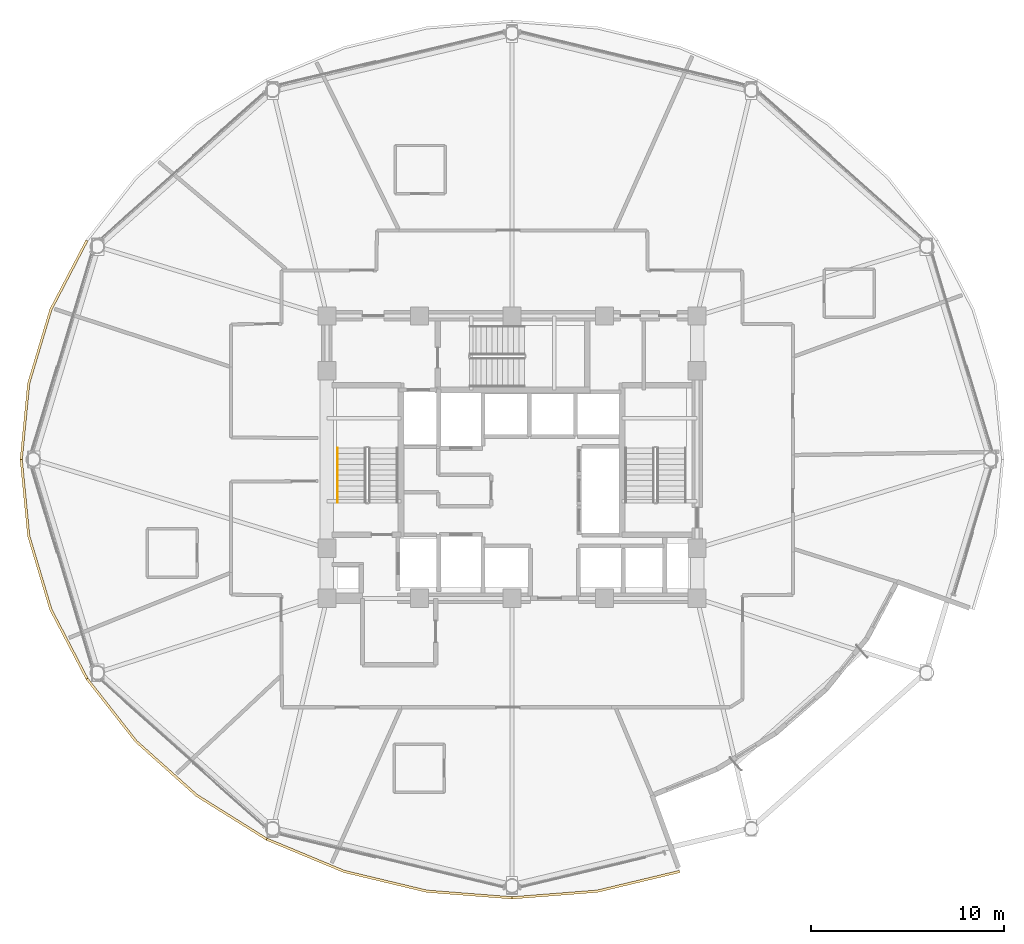
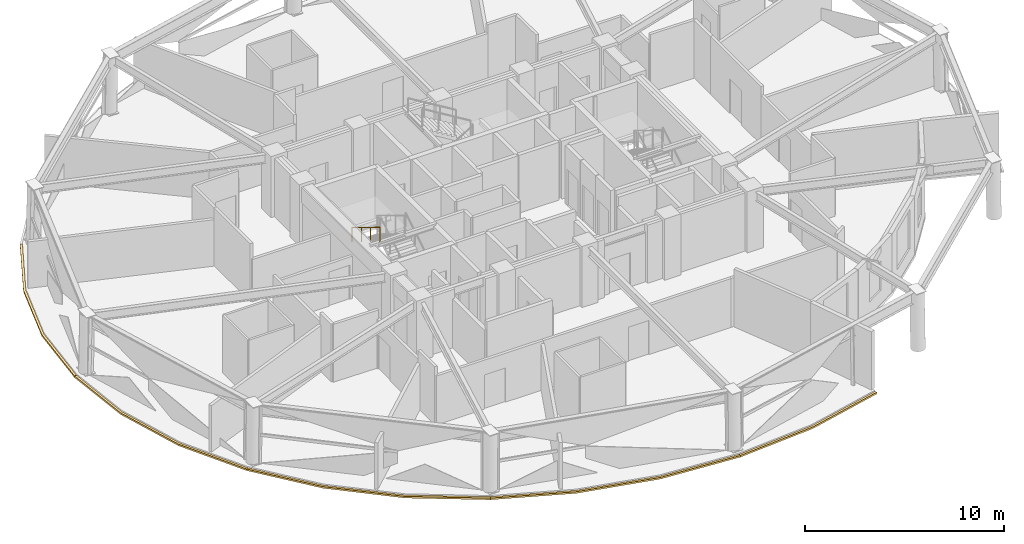
# One storey, part 14 of 16: 5 coverings, 1 railing.
"""IFC4 building model written with IfcOpenShell, lengths in metres."""

from ifc_helpers import new_model, si_unit, direction, frame, origin, origin_2d, place, context, subcontext, project, spatial, polyline, rectangle, outline, extrude, material, layer, layer_set, type_object, element, save


model = new_model("IFC4")

# Units and contexts
model_context = context("Model", 3, precision=1e-05, world=origin(), true_north=direction((0.0, 1.0)))
body_context = subcontext(model_context, "Body", "Model", "MODEL_VIEW")
ifc_project = project(units=[si_unit("LENGTHUNIT", "METRE"), si_unit("AREAUNIT", "SQUARE_METRE"), si_unit("VOLUMEUNIT", "CUBIC_METRE"), si_unit("PLANEANGLEUNIT", "RADIAN"), si_unit("MASSUNIT", "GRAM", prefix="KILO")], contexts=[model_context])

# Site, building, storey
site_placement = place(None, origin())
site = spatial("IfcSite", under=ifc_project, at=site_placement, CompositionType="ELEMENT")
building_placement = place(site_placement, origin())
building = spatial("IfcBuilding", under=site, at=building_placement, Name="Vantalir Tower", CompositionType="ELEMENT")
storey_placement = place(building_placement, frame((0.0, 0.0, 145.949951171875)))
storey = spatial("IfcBuildingStorey", under=building, at=storey_placement, Name="L36", CompositionType="ELEMENT", Elevation=145.949951171875)

# Coverings
ifc_material_1 = material(Name="Anodised champagne aluminium sill fascia", Category="aluminium")
ifc_layer = layer(ifc_material_1, 0.125)
ifc_layer_set = layer_set([ifc_layer], Name="Anodised champagne aluminium sill fascia")
covering_type = type_object("IfcCoveringType", Name="COV-SLAB-FASCIA-125", PredefinedType="CLADDING", material=ifc_layer_set)
covering_1_placement = place(storey_placement, frame((0.0, 0.0, -0.179931640625)))
element("IfcCovering", 1, at=covering_1_placement, inside=storey, type_object=covering_type, Name="L36 Perimeter Slab-Edge Sill Fascia 06", PredefinedType="CLADDING", context=body_context, shape_type="SweptSolid", body=[
    extrude(outline(polyline([(9.39892578125, 36.39892578125), (7.51904296875, 32.798095703125), (6.367919921875, 28.958984375), (5.97998046875, 25.0), (6.10498046875, 25.0), (6.490966796875, 28.93701171875), (7.636962890625, 32.7548828125), (9.507080078125, 36.3369140625), (9.39892578125, 36.39892578125)])), origin(), (0.0, 0.0, 1.0), 0.10498046875),
])
covering_2_placement = place(storey_placement, frame((0.0, 0.0, -0.179931640625)))
element("IfcCovering", 2, at=covering_2_placement, inside=storey, type_object=covering_type, Name="L36 Perimeter Slab-Edge Sill Fascia 07", PredefinedType="CLADDING", context=body_context, shape_type="SweptSolid", body=[
    extrude(outline(polyline([(5.97998046875, 25.0), (6.367919921875, 21.041015625), (7.51904296875, 17.201904296875), (9.39892578125, 13.60009765625), (9.507080078125, 13.6630859375), (7.636962890625, 17.2451171875), (6.490966796875, 21.06298828125), (6.10498046875, 25.0), (5.97998046875, 25.0)])), origin(), (0.0, 0.0, 1.0), 0.10498046875),
])
covering_3_placement = place(storey_placement, frame((0.0, 0.0, -0.179931640625)))
element("IfcCovering", 3, at=covering_3_placement, inside=storey, type_object=covering_type, Name="L36 Perimeter Slab-Edge Sill Fascia 08", PredefinedType="CLADDING", context=body_context, shape_type="SweptSolid", body=[
    extrude(outline(polyline([(9.39892578125, 13.60009765625), (11.950927734375, 10.344970703125), (15.095947265625, 7.534912109375), (18.739990234375, 5.2548828125), (18.802001953125, 5.364013671875), (15.176025390625, 7.631103515625), (12.0458984375, 10.425048828125), (9.507080078125, 13.6630859375), (9.39892578125, 13.60009765625)])), origin(), (0.0, 0.0, 1.0), 0.10498046875),
])
covering_4_placement = place(storey_placement, frame((0.0, 0.0, -0.179931640625)))
element("IfcCovering", 4, at=covering_4_placement, inside=storey, type_object=covering_type, Name="L36 Perimeter Slab-Edge Sill Fascia 09", PredefinedType="CLADDING", context=body_context, shape_type="SweptSolid", body=[
    extrude(outline(polyline([(18.739990234375, 5.2548828125), (22.77197265625, 3.575927734375), (27.068115234375, 2.547119140625), (31.5, 2.200927734375), (31.5, 2.325927734375), (27.090087890625, 2.669921875), (22.81396484375, 3.693115234375), (18.802001953125, 5.364013671875), (18.739990234375, 5.2548828125)])), origin(), (0.0, 0.0, 1.0), 0.10498046875),
])
covering_5_placement = place(storey_placement, frame((0.0, 0.0, -0.179931640625)))
element("IfcCovering", 5, at=covering_5_placement, inside=storey, type_object=covering_type, Name="L36 Perimeter Slab-Edge Sill Fascia 10", PredefinedType="CLADDING", context=body_context, shape_type="SweptSolid", body=[
    extrude(outline(polyline([(31.5, 2.200927734375), (35.931884765625, 2.547119140625), (40.22802734375, 3.575927734375), (40.18603515625, 3.693115234375), (35.909912109375, 2.669921875), (31.5, 2.325927734375), (31.5, 2.200927734375)])), origin(), (0.0, 0.0, 1.0), 0.10498046875),
])

# Railing
ifc_material_2 = material(Name="Brushed stainless steel tubular handrail", Category="steel")
railing_type = type_object("IfcRailingType", Name="RAL-HANDRAIL-900", PredefinedType="HANDRAIL", material=ifc_material_2)
railing_placement = place(storey_placement, frame((22.449951171875, 25.590087890625, 2.04541015625)))
element("IfcRailing", 6, at=railing_placement, inside=storey, type_object=railing_type, Name="L36 ST1 stair handrail 2", PredefinedType="HANDRAIL", context=body_context, shape_type="SweptSolid", body=[
    extrude(rectangle(XDim=0.048095703125, YDim=0.048095703125, at=origin_2d()), frame((0.0, 0.0, 0.8759765625), z_axis=(0.0, -0.854169791009, 0.51999420009), x_axis=(1.0, 0.0, 0.0)), (0.0, 0.0, 1.0), 3.278076171875),
    extrude(rectangle(XDim=0.0419921875, YDim=0.0419921875, at=origin_2d()), origin(), (0.0, 0.0, 1.0), 0.851806640625),
    extrude(rectangle(XDim=0.0419921875, YDim=0.0419921875, at=origin_2d()), frame((0.0, -0.933349609375, 0.568115234375)), (0.0, 0.0, 1.0), 0.851806640625),
    extrude(rectangle(XDim=0.0419921875, YDim=0.0419921875, at=origin_2d()), frame((0.0, -1.86669921875, 1.136474609375)), (0.0, 0.0, 1.0), 0.851806640625),
    extrude(rectangle(XDim=0.0419921875, YDim=0.0419921875, at=origin_2d()), frame((0.0, -2.800048828125, 1.70458984375)), (0.0, 0.0, 1.0), 0.851806640625),
])

save(model, "model.ifc")
